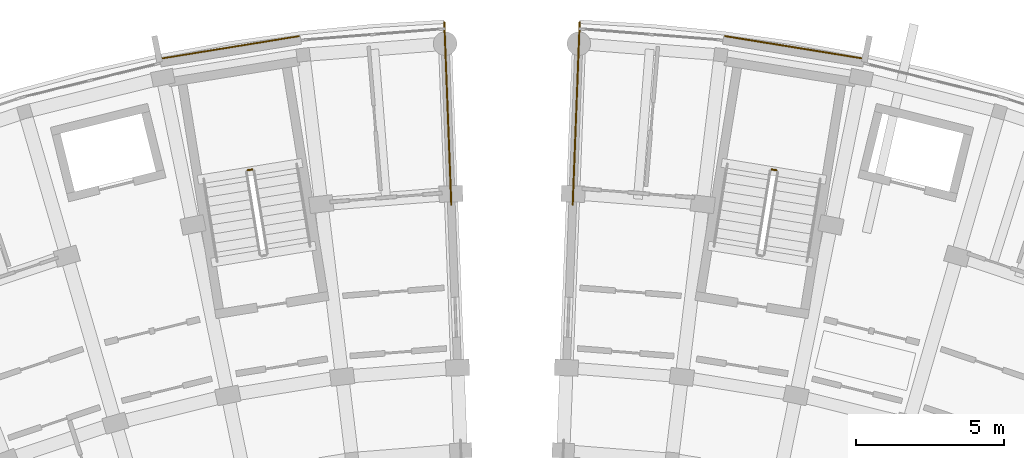
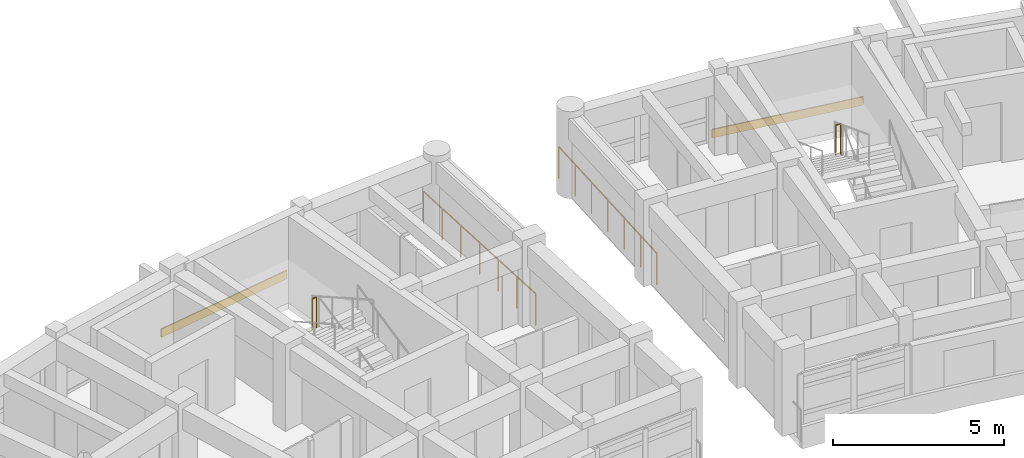
# One storey, part 46 of 56: 4 railings, 2 coverings.
"""IFC4 building model written with IfcOpenShell, lengths in metres."""

from ifc_helpers import new_model, si_unit, direction, frame, origin, origin_2d, place, context, subcontext, project, spatial, rectangle, circle, extrude, material, layer, layer_set, type_object, element, save


model = new_model("IFC4")

# Units and contexts
model_context = context("Model", 3, precision=1e-05, world=origin(), true_north=direction((0.0, 1.0)))
body_context = subcontext(model_context, "Body", "Model", "MODEL_VIEW")
ifc_project = project(units=[si_unit("LENGTHUNIT", "METRE"), si_unit("AREAUNIT", "SQUARE_METRE"), si_unit("VOLUMEUNIT", "CUBIC_METRE"), si_unit("PLANEANGLEUNIT", "RADIAN"), si_unit("MASSUNIT", "GRAM", prefix="KILO")], contexts=[model_context])

# Site, building, storey
site_placement = place(None, origin())
site = spatial("IfcSite", under=ifc_project, at=site_placement, CompositionType="ELEMENT")
building_placement = place(site_placement, origin())
building = spatial("IfcBuilding", under=site, at=building_placement, Name="Zimvara Arc Housing Community", CompositionType="ELEMENT")
storey_placement = place(building_placement, frame((0.0, 0.0, 11.199951171875)))
storey = spatial("IfcBuildingStorey", under=building, at=storey_placement, Name="L03", CompositionType="ELEMENT", Elevation=11.199951171875)

# Coverings
ifc_material_1 = material(Name="Pale-Gold Anodised Aluminium Cladding", Category="aluminium")
ifc_layer_1 = layer(ifc_material_1, 0.0400390625)
ifc_layer_set_1 = layer_set([ifc_layer_1], Name="Pale-Gold Anodised Aluminium Cladding")
covering_type_1 = type_object("IfcCoveringType", Name="CLD-GOLD-01", PredefinedType="CLADDING", material=ifc_layer_set_1)
covering_1_placement = place(storey_placement, frame((35.469970703125, 103.2109375, 0.01025390625), z_axis=(0.0, 0.0, 1.0), x_axis=(0.987080395872, 0.160225753504, 0.0)))
element("IfcCovering", 1, at=covering_1_placement, inside=storey, type_object=covering_type_1, Name="cld:blkA:L03:out:b8", PredefinedType="CLADDING", context=body_context, shape_type="SweptSolid", body=[
    extrude(rectangle(XDim=4.748779296875, YDim=0.0400390625, at=origin_2d()), origin(), (0.0, 0.0, 1.0), 0.300048828125),
])
ifc_material_2 = material(Name="Pale-Gold Anodised Aluminium Cladding", Category="aluminium")
ifc_layer_2 = layer(ifc_material_2, 0.044921875)
ifc_layer_set_2 = layer_set([ifc_layer_2], Name="Pale-Gold Anodised Aluminium Cladding")
covering_type_2 = type_object("IfcCoveringType", Name="CLD-GOLD-02", PredefinedType="CLADDING", material=ifc_layer_set_2)
covering_2_placement = place(storey_placement, frame((54.530517578125, 103.21337890625, 0.01025390625), z_axis=(0.0, 0.0, 1.0), x_axis=(0.987080395872, -0.160225753504, 0.0)))
element("IfcCovering", 2, at=covering_2_placement, inside=storey, type_object=covering_type_2, Name="cld:blkB:L03:out:b1", PredefinedType="CLADDING", context=body_context, shape_type="SweptSolid", body=[
    extrude(rectangle(XDim=4.748779296875, YDim=0.044921875, at=origin_2d()), origin(), (0.0, 0.0, 1.0), 0.300048828125),
])

# Railings
ifc_material_3 = material(Name="Anodised Aluminium AW-6063", Category="aluminium")
railing_type_1 = type_object("IfcRailingType", Name="RLG-BAL-1120", PredefinedType="BALUSTRADE", material=ifc_material_3)
railing_1_placement = place(storey_placement, frame((36.220947265625, 99.08349609375, 1.550048828125)))
element("IfcRailing", 3, at=railing_1_placement, inside=storey, type_object=railing_type_1, Name="L03 ST-A2 stair guard 2", PredefinedType="BALUSTRADE", context=body_context, shape_type="SweptSolid", body=[
    extrude(circle(Radius=0.02392578125, at=origin_2d()), frame((0.0, 0.0, 1.09619140625), z_axis=(-0.987085924886, -0.160191687964, 0.0), x_axis=(0.160191687964, -0.987085924886, 0.0)), (0.0, 0.0, 1.0), 0.159912109375),
    extrude(circle(Radius=0.02099609375, at=origin_2d()), origin(), (0.0, 0.0, 1.0), 1.072021484375),
    extrude(circle(Radius=0.02099609375, at=origin_2d()), frame((-0.157958984375, -0.025634765625, 0.0)), (0.0, 0.0, 1.0), 1.072021484375),
])
railing_2_placement = place(storey_placement, frame((53.93701171875, 99.057861328125, 1.550048828125)))
element("IfcRailing", 4, at=railing_2_placement, inside=storey, type_object=railing_type_1, Name="L03 ST-B1 stair guard 2", PredefinedType="BALUSTRADE", context=body_context, shape_type="SweptSolid", body=[
    extrude(circle(Radius=0.02392578125, at=origin_2d()), frame((0.0, 0.0, 1.09619140625), z_axis=(-0.987085924886, 0.160191687964, 0.0), x_axis=(-0.160191687964, -0.987085924886, 0.0)), (0.0, 0.0, 1.0), 0.159912109375),
    extrude(circle(Radius=0.02099609375, at=origin_2d()), origin(), (0.0, 0.0, 1.0), 1.072021484375),
    extrude(circle(Radius=0.02099609375, at=origin_2d()), frame((-0.157958984375, 0.025634765625, 0.0)), (0.0, 0.0, 1.0), 1.072021484375),
])
ifc_material_4 = material(Name="Anodised Aluminium AW-6063", Category="aluminium")
railing_type_2 = type_object("IfcRailingType", Name="RLG-BAL-1150", PredefinedType="BALUSTRADE", material=ifc_material_4)
railing_3_placement = place(storey_placement, frame((42.948486328125, 97.900634765625, 0.0)))
element("IfcRailing", 5, at=railing_3_placement, inside=storey, type_object=railing_type_2, Name="rlg:blkA:L03:gable_out:gN", PredefinedType="BALUSTRADE", context=body_context, shape_type="SweptSolid", body=[
    extrude(circle(Radius=0.02392578125, at=origin_2d()), frame((0.0, 0.0, 1.1259765625), z_axis=(-0.038364627964, 0.99926380667, 0.0), x_axis=(-0.99926380667, -0.038364627964, 0.0)), (0.0, 0.0, 1.0), 6.16015625),
    extrude(circle(Radius=0.02099609375, at=origin_2d()), origin(), (0.0, 0.0, 1.0), 1.101806640625),
    extrude(circle(Radius=0.02099609375, at=origin_2d()), frame((-0.039306640625, 1.02587890625, 0.0)), (0.0, 0.0, 1.0), 1.101806640625),
    extrude(circle(Radius=0.02099609375, at=origin_2d()), frame((-0.078857421875, 2.0517578125, 0.0)), (0.0, 0.0, 1.0), 1.101806640625),
    extrude(circle(Radius=0.02099609375, at=origin_2d()), frame((-0.1181640625, 3.07763671875, 0.0)), (0.0, 0.0, 1.0), 1.101806640625),
    extrude(circle(Radius=0.02099609375, at=origin_2d()), frame((-0.157470703125, 4.103759765625, 0.0)), (0.0, 0.0, 1.0), 1.101806640625),
    extrude(circle(Radius=0.02099609375, at=origin_2d()), frame((-0.197021484375, 5.129638671875, 0.0)), (0.0, 0.0, 1.0), 1.101806640625),
    extrude(circle(Radius=0.02099609375, at=origin_2d()), frame((-0.236328125, 6.155517578125, 0.0)), (0.0, 0.0, 1.0), 1.101806640625),
])
railing_4_placement = place(storey_placement, frame((47.051513671875, 97.900634765625, 0.0)))
element("IfcRailing", 6, at=railing_4_placement, inside=storey, type_object=railing_type_2, Name="rlg:blkB:L03:gable_out:g0", PredefinedType="BALUSTRADE", context=body_context, shape_type="SweptSolid", body=[
    extrude(circle(Radius=0.02392578125, at=origin_2d()), frame((0.0, 0.0, 1.1259765625), z_axis=(0.038364627964, 0.99926380667, 0.0), x_axis=(-0.99926380667, 0.038364627964, 0.0)), (0.0, 0.0, 1.0), 6.16015625),
    extrude(circle(Radius=0.02099609375, at=origin_2d()), origin(), (0.0, 0.0, 1.0), 1.101806640625),
    extrude(circle(Radius=0.02099609375, at=origin_2d()), frame((0.039306640625, 1.02587890625, 0.0)), (0.0, 0.0, 1.0), 1.101806640625),
    extrude(circle(Radius=0.02099609375, at=origin_2d()), frame((0.078857421875, 2.0517578125, 0.0)), (0.0, 0.0, 1.0), 1.101806640625),
    extrude(circle(Radius=0.02099609375, at=origin_2d()), frame((0.1181640625, 3.07763671875, 0.0)), (0.0, 0.0, 1.0), 1.101806640625),
    extrude(circle(Radius=0.02099609375, at=origin_2d()), frame((0.157470703125, 4.103759765625, 0.0)), (0.0, 0.0, 1.0), 1.101806640625),
    extrude(circle(Radius=0.02099609375, at=origin_2d()), frame((0.197021484375, 5.129638671875, 0.0)), (0.0, 0.0, 1.0), 1.101806640625),
    extrude(circle(Radius=0.02099609375, at=origin_2d()), frame((0.236328125, 6.155517578125, 0.0)), (0.0, 0.0, 1.0), 1.101806640625),
])

save(model, "model.ifc")
